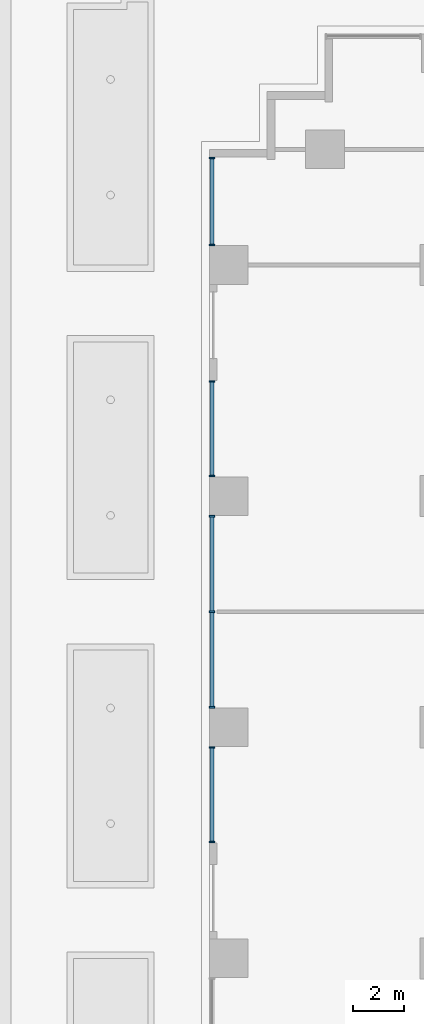
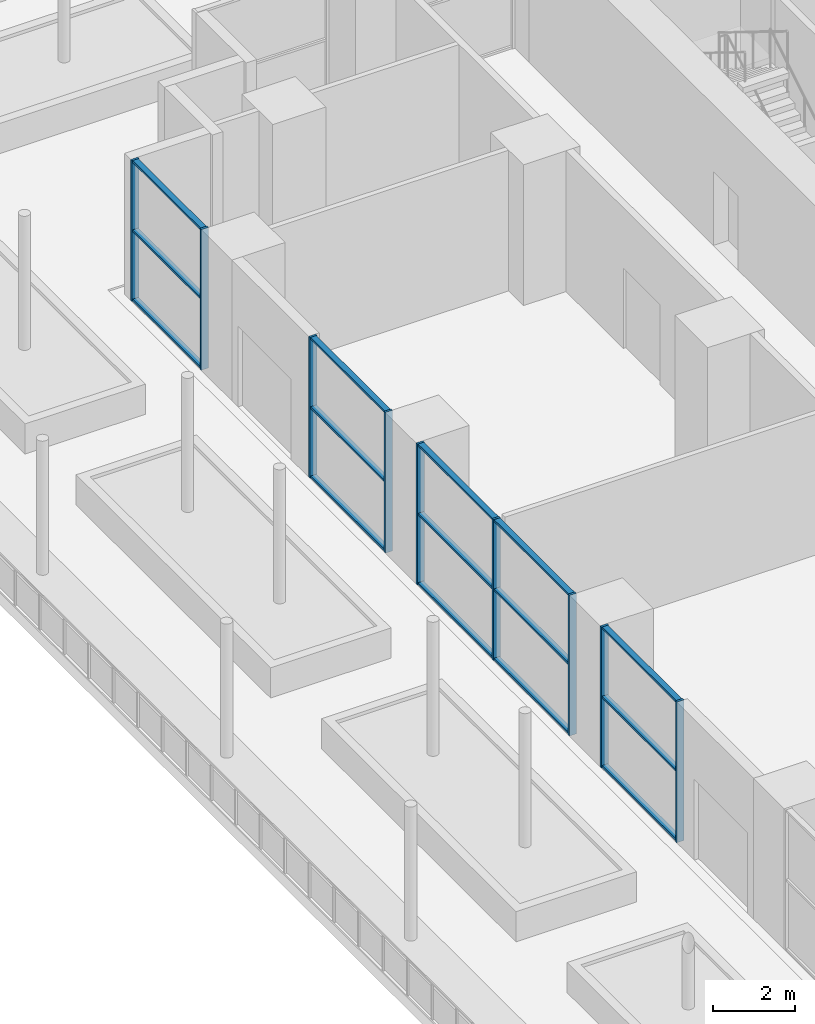
# One storey, part 4 of 18: 24 members, 4 elements without a shape of their own.
"""IFC4 building model written with IfcOpenShell, lengths in metres."""

from ifc_helpers import new_model, si_unit, direction, frame, origin, origin_2d, place, context, subcontext, project, spatial, rectangle, extrude, material, material_profile, profile_set, type_object, element, aggregate, save


model = new_model("IFC4")

# Units and contexts
model_context = context("Model", 3, precision=1e-05, world=origin(), true_north=direction((0.0, 1.0)))
body_context = subcontext(model_context, "Body", "Model", "MODEL_VIEW")
ifc_project = project(units=[si_unit("LENGTHUNIT", "METRE"), si_unit("AREAUNIT", "SQUARE_METRE"), si_unit("VOLUMEUNIT", "CUBIC_METRE"), si_unit("PLANEANGLEUNIT", "RADIAN"), si_unit("MASSUNIT", "GRAM", prefix="KILO")], contexts=[model_context])

# Site, building, storey
site_placement = place(None, origin())
site = spatial("IfcSite", under=ifc_project, at=site_placement, CompositionType="ELEMENT")
building_placement = place(site_placement, origin())
building = spatial("IfcBuilding", under=site, at=building_placement, Name="Orbiselva Terraces", CompositionType="ELEMENT")
storey_placement = place(building_placement, frame((0.0, 0.0, 10.5)))
storey = spatial("IfcBuildingStorey", under=building, at=storey_placement, Name="L02", CompositionType="ELEMENT", Elevation=10.5)

# Curtain wall, members
ifc_material_1 = material(Name="Clear low-e glazing in aluminium frame", Category="aluminium")
curtain_wall_type = type_object("IfcCurtainWallType", Name="ENV-CW-PAVILION", PredefinedType="NOTDEFINED", material=ifc_material_1)
curtain_wall_1_placement = place(storey_placement, origin())
curtain_wall_1 = element("IfcCurtainWall", 1, at=curtain_wall_1_placement, inside=storey, type_object=curtain_wall_type, Name="Curtain wall L02 W", PredefinedType="NOTDEFINED")
ifc_material_2 = material(Name="Anodised aluminium", Category="aluminium")
ifc_material_profile_1 = material_profile(ifc_material_2, rectangle(XDim=0.2, YDim=0.065, at=origin_2d()), Name="AL 65x200")
ifc_profile_set_1 = profile_set([ifc_material_profile_1], Name="Anodised aluminium")
member_type_1 = type_object("IfcMemberType", Name="ENV-CW-PAVILION-MULLION-65x200", PredefinedType="MULLION", material=ifc_profile_set_1)
member_1_placement = place(storey_placement, frame((-26.9, 17.6675, 0.0), z_axis=(0.0, 0.0, 1.0), x_axis=(1.0, 0.0, 0.0)))
member_1 = element("IfcMember", 2, at=member_1_placement, type_object=member_type_1, Name="CW2 mullion 1", PredefinedType="MULLION", context=body_context, shape_type="SweptSolid", body=[
    extrude(rectangle(XDim=0.2, YDim=0.065, at=origin_2d()), origin(), (0.0, 0.0, 1.0), 4.2),
])
member_2_placement = place(storey_placement, frame((-26.9, 14.2825, 0.0), z_axis=(0.0, 0.0, 1.0), x_axis=(1.0, 0.0, 0.0)))
member_2 = element("IfcMember", 3, at=member_2_placement, type_object=member_type_1, Name="CW2 mullion 2", PredefinedType="MULLION", context=body_context, shape_type="SweptSolid", body=[
    extrude(rectangle(XDim=0.2, YDim=0.065, at=origin_2d()), origin(), (0.0, 0.0, 1.0), 4.2),
])

curtain_wall_2_placement = place(storey_placement, origin())
curtain_wall_2 = element("IfcCurtainWall", 4, at=curtain_wall_2_placement, inside=storey, type_object=curtain_wall_type, Name="Curtain wall L02 W", PredefinedType="NOTDEFINED")
member_3_placement = place(storey_placement, frame((-26.9, 8.9675, 0.0), z_axis=(0.0, 0.0, 1.0), x_axis=(1.0, 0.0, 0.0)))
member_3 = element("IfcMember", 5, at=member_3_placement, type_object=member_type_1, Name="CW2 mullion 1", PredefinedType="MULLION", context=body_context, shape_type="SweptSolid", body=[
    extrude(rectangle(XDim=0.2, YDim=0.065, at=origin_2d()), origin(), (0.0, 0.0, 1.0), 4.2),
])
member_4_placement = place(storey_placement, frame((-26.9, 5.2825, 0.0), z_axis=(0.0, 0.0, 1.0), x_axis=(1.0, 0.0, 0.0)))
member_4 = element("IfcMember", 6, at=member_4_placement, type_object=member_type_1, Name="CW2 mullion 2", PredefinedType="MULLION", context=body_context, shape_type="SweptSolid", body=[
    extrude(rectangle(XDim=0.2, YDim=0.065, at=origin_2d()), origin(), (0.0, 0.0, 1.0), 4.2),
])

curtain_wall_3_placement = place(storey_placement, origin())
curtain_wall_3 = element("IfcCurtainWall", 7, at=curtain_wall_3_placement, inside=storey, type_object=curtain_wall_type, Name="Curtain wall L02 W", PredefinedType="NOTDEFINED")
member_5_placement = place(storey_placement, frame((-26.9, 3.7175, 0.0), z_axis=(0.0, 0.0, 1.0), x_axis=(1.0, 0.0, 0.0)))
member_5 = element("IfcMember", 8, at=member_5_placement, type_object=member_type_1, Name="CW2 mullion 1", PredefinedType="MULLION", context=body_context, shape_type="SweptSolid", body=[
    extrude(rectangle(XDim=0.2, YDim=0.065, at=origin_2d()), origin(), (0.0, 0.0, 1.0), 4.2),
])
member_6_placement = place(storey_placement, frame((-26.9, 0.0, 0.0), z_axis=(0.0, 0.0, 1.0), x_axis=(1.0, 0.0, 0.0)))
member_6 = element("IfcMember", 9, at=member_6_placement, type_object=member_type_1, Name="CW2 mullion 2", PredefinedType="MULLION", context=body_context, shape_type="SweptSolid", body=[
    extrude(rectangle(XDim=0.2, YDim=0.065, at=origin_2d()), origin(), (0.0, 0.0, 1.0), 4.2),
])
member_7_placement = place(storey_placement, frame((-26.9, -3.7175, 0.0), z_axis=(0.0, 0.0, 1.0), x_axis=(1.0, 0.0, 0.0)))
member_7 = element("IfcMember", 10, at=member_7_placement, type_object=member_type_1, Name="CW2 mullion 3", PredefinedType="MULLION", context=body_context, shape_type="SweptSolid", body=[
    extrude(rectangle(XDim=0.2, YDim=0.065, at=origin_2d()), origin(), (0.0, 0.0, 1.0), 4.2),
])

curtain_wall_4_placement = place(storey_placement, origin())
curtain_wall_4 = element("IfcCurtainWall", 11, at=curtain_wall_4_placement, inside=storey, type_object=curtain_wall_type, Name="Curtain wall L02 W", PredefinedType="NOTDEFINED")
member_8_placement = place(storey_placement, frame((-26.9, -5.2825, 0.0), z_axis=(0.0, 0.0, 1.0), x_axis=(1.0, 0.0, 0.0)))
member_8 = element("IfcMember", 12, at=member_8_placement, type_object=member_type_1, Name="CW2 mullion 1", PredefinedType="MULLION", context=body_context, shape_type="SweptSolid", body=[
    extrude(rectangle(XDim=0.2, YDim=0.065, at=origin_2d()), origin(), (0.0, 0.0, 1.0), 4.2),
])
member_9_placement = place(storey_placement, frame((-26.9, -8.9675, 0.0), z_axis=(0.0, 0.0, 1.0), x_axis=(1.0, 0.0, 0.0)))
member_9 = element("IfcMember", 13, at=member_9_placement, type_object=member_type_1, Name="CW2 mullion 2", PredefinedType="MULLION", context=body_context, shape_type="SweptSolid", body=[
    extrude(rectangle(XDim=0.2, YDim=0.065, at=origin_2d()), origin(), (0.0, 0.0, 1.0), 4.2),
])

# Member
ifc_material_profile_2 = material_profile(ifc_material_2, rectangle(XDim=0.16, YDim=0.065, at=origin_2d()), Name="AL 65x160")
ifc_profile_set_2 = profile_set([ifc_material_profile_2], Name="Anodised aluminium")
member_type_2 = type_object("IfcMemberType", Name="ENV-CW-PAVILION-TRANSOM-65x160", PredefinedType="USERDEFINED", material=ifc_profile_set_2)
member_10_placement = place(storey_placement, frame((-26.9, 17.635, 0.0325), z_axis=(0.0, -1.0, 0.0), x_axis=(1.0, 0.0, 0.0)))
member_10 = element("IfcMember", 14, at=member_10_placement, type_object=member_type_2, Name="CW2 transom 1.1", ObjectType="TRANSOM", PredefinedType="USERDEFINED", context=body_context, shape_type="SweptSolid", body=[
    extrude(rectangle(XDim=0.16, YDim=0.065, at=origin_2d()), origin(), (0.0, 0.0, 1.0), 3.32),
])

member_11_placement = place(storey_placement, frame((-26.9, 17.635, 2.1), z_axis=(0.0, -1.0, 0.0), x_axis=(1.0, 0.0, 0.0)))
member_11 = element("IfcMember", 15, at=member_11_placement, type_object=member_type_2, Name="CW2 transom 1.2", ObjectType="TRANSOM", PredefinedType="USERDEFINED", context=body_context, shape_type="SweptSolid", body=[
    extrude(rectangle(XDim=0.16, YDim=0.065, at=origin_2d()), origin(), (0.0, 0.0, 1.0), 3.32),
])

member_12_placement = place(storey_placement, frame((-26.9, 17.635, 4.1675), z_axis=(0.0, -1.0, 0.0), x_axis=(1.0, 0.0, 0.0)))
member_12 = element("IfcMember", 16, at=member_12_placement, type_object=member_type_2, Name="CW2 transom 1.3", ObjectType="TRANSOM", PredefinedType="USERDEFINED", context=body_context, shape_type="SweptSolid", body=[
    extrude(rectangle(XDim=0.16, YDim=0.065, at=origin_2d()), origin(), (0.0, 0.0, 1.0), 3.32),
])

aggregate(curtain_wall_1, [member_1, member_2, member_10, member_11, member_12])

member_13_placement = place(storey_placement, frame((-26.9, 8.935, 0.0325), z_axis=(0.0, -1.0, 0.0), x_axis=(1.0, 0.0, 0.0)))
member_13 = element("IfcMember", 17, at=member_13_placement, type_object=member_type_2, Name="CW2 transom 1.1", ObjectType="TRANSOM", PredefinedType="USERDEFINED", context=body_context, shape_type="SweptSolid", body=[
    extrude(rectangle(XDim=0.16, YDim=0.065, at=origin_2d()), origin(), (0.0, 0.0, 1.0), 3.62),
])

member_14_placement = place(storey_placement, frame((-26.9, 8.935, 2.1), z_axis=(0.0, -1.0, 0.0), x_axis=(1.0, 0.0, 0.0)))
member_14 = element("IfcMember", 18, at=member_14_placement, type_object=member_type_2, Name="CW2 transom 1.2", ObjectType="TRANSOM", PredefinedType="USERDEFINED", context=body_context, shape_type="SweptSolid", body=[
    extrude(rectangle(XDim=0.16, YDim=0.065, at=origin_2d()), origin(), (0.0, 0.0, 1.0), 3.62),
])

member_15_placement = place(storey_placement, frame((-26.9, 8.935, 4.1675), z_axis=(0.0, -1.0, 0.0), x_axis=(1.0, 0.0, 0.0)))
member_15 = element("IfcMember", 19, at=member_15_placement, type_object=member_type_2, Name="CW2 transom 1.3", ObjectType="TRANSOM", PredefinedType="USERDEFINED", context=body_context, shape_type="SweptSolid", body=[
    extrude(rectangle(XDim=0.16, YDim=0.065, at=origin_2d()), origin(), (0.0, 0.0, 1.0), 3.62),
])

aggregate(curtain_wall_2, [member_3, member_4, member_13, member_14, member_15])

member_16_placement = place(storey_placement, frame((-26.9, 3.685, 0.0325), z_axis=(0.0, -1.0, 0.0), x_axis=(1.0, 0.0, 0.0)))
member_16 = element("IfcMember", 20, at=member_16_placement, type_object=member_type_2, Name="CW2 transom 1.1", ObjectType="TRANSOM", PredefinedType="USERDEFINED", context=body_context, shape_type="SweptSolid", body=[
    extrude(rectangle(XDim=0.16, YDim=0.065, at=origin_2d()), origin(), (0.0, 0.0, 1.0), 3.6525),
])

member_17_placement = place(storey_placement, frame((-26.9, 3.685, 2.1), z_axis=(0.0, -1.0, 0.0), x_axis=(1.0, 0.0, 0.0)))
member_17 = element("IfcMember", 21, at=member_17_placement, type_object=member_type_2, Name="CW2 transom 1.2", ObjectType="TRANSOM", PredefinedType="USERDEFINED", context=body_context, shape_type="SweptSolid", body=[
    extrude(rectangle(XDim=0.16, YDim=0.065, at=origin_2d()), origin(), (0.0, 0.0, 1.0), 3.6525),
])

member_18_placement = place(storey_placement, frame((-26.9, 3.685, 4.1675), z_axis=(0.0, -1.0, 0.0), x_axis=(1.0, 0.0, 0.0)))
member_18 = element("IfcMember", 22, at=member_18_placement, type_object=member_type_2, Name="CW2 transom 1.3", ObjectType="TRANSOM", PredefinedType="USERDEFINED", context=body_context, shape_type="SweptSolid", body=[
    extrude(rectangle(XDim=0.16, YDim=0.065, at=origin_2d()), origin(), (0.0, 0.0, 1.0), 3.6525),
])

member_19_placement = place(storey_placement, frame((-26.9, -0.0325, 0.0325), z_axis=(0.0, -1.0, 0.0), x_axis=(1.0, 0.0, 0.0)))
member_19 = element("IfcMember", 23, at=member_19_placement, type_object=member_type_2, Name="CW2 transom 2.1", ObjectType="TRANSOM", PredefinedType="USERDEFINED", context=body_context, shape_type="SweptSolid", body=[
    extrude(rectangle(XDim=0.16, YDim=0.065, at=origin_2d()), origin(), (0.0, 0.0, 1.0), 3.6525),
])

member_20_placement = place(storey_placement, frame((-26.9, -0.0325, 2.1), z_axis=(0.0, -1.0, 0.0), x_axis=(1.0, 0.0, 0.0)))
member_20 = element("IfcMember", 24, at=member_20_placement, type_object=member_type_2, Name="CW2 transom 2.2", ObjectType="TRANSOM", PredefinedType="USERDEFINED", context=body_context, shape_type="SweptSolid", body=[
    extrude(rectangle(XDim=0.16, YDim=0.065, at=origin_2d()), origin(), (0.0, 0.0, 1.0), 3.6525),
])

member_21_placement = place(storey_placement, frame((-26.9, -0.0325, 4.1675), z_axis=(0.0, -1.0, 0.0), x_axis=(1.0, 0.0, 0.0)))
member_21 = element("IfcMember", 25, at=member_21_placement, type_object=member_type_2, Name="CW2 transom 2.3", ObjectType="TRANSOM", PredefinedType="USERDEFINED", context=body_context, shape_type="SweptSolid", body=[
    extrude(rectangle(XDim=0.16, YDim=0.065, at=origin_2d()), origin(), (0.0, 0.0, 1.0), 3.6525),
])

aggregate(curtain_wall_3, [member_5, member_6, member_7, member_16, member_17, member_18, member_19, member_20, member_21])

member_22_placement = place(storey_placement, frame((-26.9, -5.315, 0.0325), z_axis=(0.0, -1.0, 0.0), x_axis=(1.0, 0.0, 0.0)))
member_22 = element("IfcMember", 26, at=member_22_placement, type_object=member_type_2, Name="CW2 transom 1.1", ObjectType="TRANSOM", PredefinedType="USERDEFINED", context=body_context, shape_type="SweptSolid", body=[
    extrude(rectangle(XDim=0.16, YDim=0.065, at=origin_2d()), origin(), (0.0, 0.0, 1.0), 3.62),
])

member_23_placement = place(storey_placement, frame((-26.9, -5.315, 2.1), z_axis=(0.0, -1.0, 0.0), x_axis=(1.0, 0.0, 0.0)))
member_23 = element("IfcMember", 27, at=member_23_placement, type_object=member_type_2, Name="CW2 transom 1.2", ObjectType="TRANSOM", PredefinedType="USERDEFINED", context=body_context, shape_type="SweptSolid", body=[
    extrude(rectangle(XDim=0.16, YDim=0.065, at=origin_2d()), origin(), (0.0, 0.0, 1.0), 3.62),
])

member_24_placement = place(storey_placement, frame((-26.9, -5.315, 4.1675), z_axis=(0.0, -1.0, 0.0), x_axis=(1.0, 0.0, 0.0)))
member_24 = element("IfcMember", 28, at=member_24_placement, type_object=member_type_2, Name="CW2 transom 1.3", ObjectType="TRANSOM", PredefinedType="USERDEFINED", context=body_context, shape_type="SweptSolid", body=[
    extrude(rectangle(XDim=0.16, YDim=0.065, at=origin_2d()), origin(), (0.0, 0.0, 1.0), 3.62),
])

aggregate(curtain_wall_4, [member_8, member_9, member_22, member_23, member_24])

save(model, "model.ifc")
